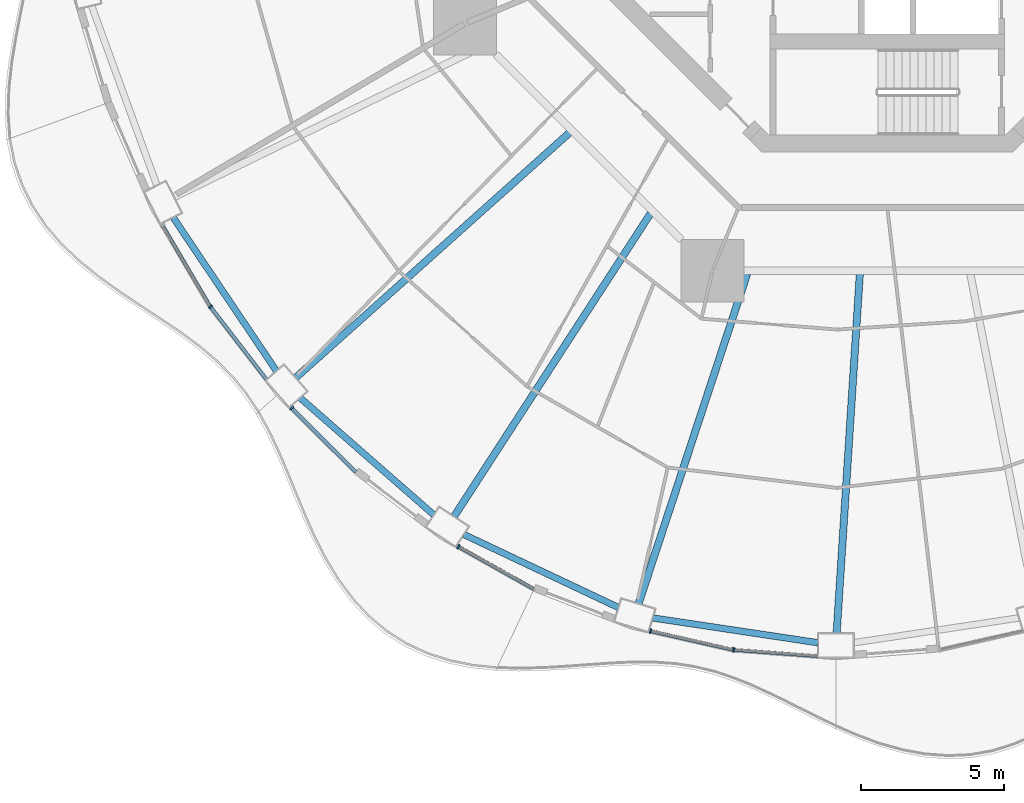
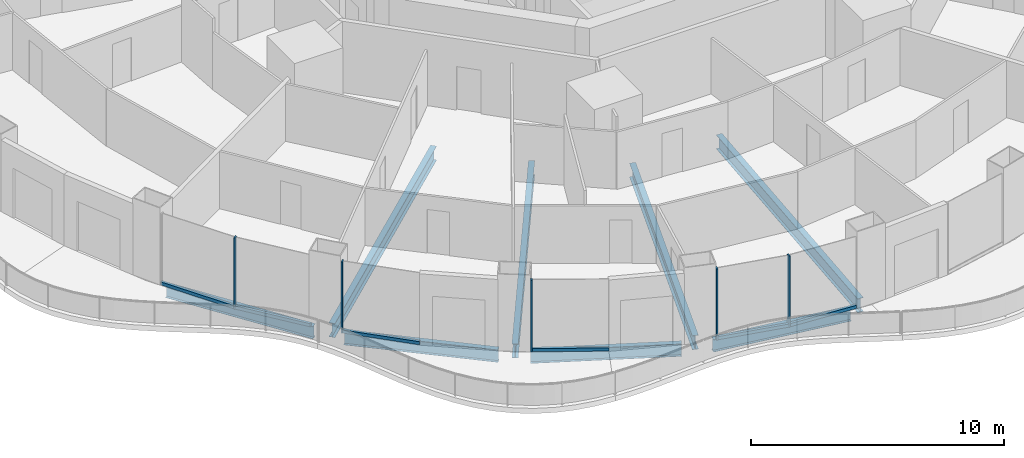
# One storey, part 2 of 22: 11 members, 8 beams, 6 elements without a shape of their own.
"""IFC4 building model written with IfcOpenShell, lengths in metres."""

from ifc_helpers import new_model, si_unit, direction, frame, origin, origin_2d, place, context, subcontext, project, spatial, rectangle, i_section, extrude, material, layer, layer_set, material_profile, profile_set, type_object, element, aggregate, save


model = new_model("IFC4")

# Units and contexts
model_context = context("Model", 3, precision=1e-05, world=origin(), true_north=direction((0.0, 1.0)))
body_context = subcontext(model_context, "Body", "Model", "MODEL_VIEW")
ifc_project = project(units=[si_unit("LENGTHUNIT", "METRE"), si_unit("AREAUNIT", "SQUARE_METRE"), si_unit("VOLUMEUNIT", "CUBIC_METRE"), si_unit("PLANEANGLEUNIT", "RADIAN"), si_unit("MASSUNIT", "GRAM", prefix="KILO")], contexts=[model_context])

# Site, building, storey
site_placement = place(None, origin())
site = spatial("IfcSite", under=ifc_project, at=site_placement, CompositionType="ELEMENT")
building_placement = place(site_placement, origin())
building = spatial("IfcBuilding", under=site, at=building_placement, Name="Nagisa Residences", CompositionType="ELEMENT")
storey_placement = place(building_placement, frame((0.0, 0.0, 84.39990234375)))
storey = spatial("IfcBuildingStorey", under=building, at=storey_placement, Name="L20", CompositionType="ELEMENT", Elevation=84.39990234375)

# Curtain wall, member
ifc_material_1 = material(Name="Concrete-coloured aluminium curtain wall system", Category="concrete")
ifc_layer = layer(ifc_material_1, 0.159912109375)
ifc_layer_set = layer_set([ifc_layer], Name="CW1 CURTAIN WALL")
curtain_wall_type = type_object("IfcCurtainWallType", Name="CW1 CURTAIN WALL", PredefinedType="NOTDEFINED", material=ifc_layer_set)
curtain_wall_1_placement = place(storey_placement, origin())
curtain_wall_1 = element("IfcCurtainWall", 1, at=curtain_wall_1_placement, inside=storey, type_object=curtain_wall_type, Name="cw:CW1:L20:29", PredefinedType="NOTDEFINED")
ifc_material_2 = material(Name="Concrete-coloured aluminium", Category="concrete")
ifc_material_profile_1 = material_profile(ifc_material_2, rectangle(XDim=0.159912109375, YDim=0.06005859375, at=origin_2d()), Name="CW1 MULLION 160x60")
ifc_profile_set_1 = profile_set([ifc_material_profile_1], Name="Concrete-coloured aluminium")
member_type_1 = type_object("IfcMemberType", Name="CW1 MULLION 160x60", PredefinedType="MULLION", material=ifc_profile_set_1)
member_1_placement = place(storey_placement, frame((-23.690185546875, -16.042236328125, 0.0), z_axis=(0.0, 0.0, 1.0), x_axis=(0.792070340816, 0.610429828235, 0.0)))
member_1 = element("IfcMember", 2, at=member_1_placement, type_object=member_type_1, Name="CW1 mullion", PredefinedType="MULLION", context=body_context, shape_type="SweptSolid", body=[
    extrude(rectangle(XDim=0.159912109375, YDim=0.06005859375, at=origin_2d()), origin(), (0.0, 0.0, 1.0), 3.440185546875),
])

curtain_wall_2_placement = place(storey_placement, origin())
curtain_wall_2 = element("IfcCurtainWall", 3, at=curtain_wall_2_placement, inside=storey, type_object=curtain_wall_type, Name="cw:CW1:L20:30", PredefinedType="NOTDEFINED")
member_2_placement = place(storey_placement, frame((-20.845458984375, -19.590576171875, 0.0), z_axis=(0.0, 0.0, 1.0), x_axis=(0.706376885714, 0.707835924016, 0.0)))
member_2 = element("IfcMember", 4, at=member_2_placement, type_object=member_type_1, Name="CW1 mullion", PredefinedType="MULLION", context=body_context, shape_type="SweptSolid", body=[
    extrude(rectangle(XDim=0.159912109375, YDim=0.06005859375, at=origin_2d()), origin(), (0.0, 0.0, 1.0), 3.440185546875),
])

curtain_wall_3_placement = place(storey_placement, origin())
curtain_wall_3 = element("IfcCurtainWall", 5, at=curtain_wall_3_placement, inside=storey, type_object=curtain_wall_type, Name="cw:CW1:L20:32", PredefinedType="NOTDEFINED")
member_3_placement = place(storey_placement, frame((-15.015380859375, -24.43798828125, 0.0), z_axis=(0.0, 0.0, 1.0), x_axis=(0.489376918501, 0.872072377523, 0.0)))
member_3 = element("IfcMember", 6, at=member_3_placement, type_object=member_type_1, Name="CW1 mullion", PredefinedType="MULLION", context=body_context, shape_type="SweptSolid", body=[
    extrude(rectangle(XDim=0.159912109375, YDim=0.06005859375, at=origin_2d()), origin(), (0.0, 0.0, 1.0), 3.440185546875),
])

curtain_wall_4_placement = place(storey_placement, origin())
curtain_wall_4 = element("IfcCurtainWall", 7, at=curtain_wall_4_placement, inside=storey, type_object=curtain_wall_type, Name="cw:CW1:L20:34", PredefinedType="NOTDEFINED")
member_4_placement = place(storey_placement, frame((-8.287109375, -27.3955078125, 0.0), z_axis=(0.0, 0.0, 1.0), x_axis=(0.2207639201, 0.975327274089, 0.0)))
member_4 = element("IfcMember", 8, at=member_4_placement, type_object=member_type_1, Name="CW1 mullion", PredefinedType="MULLION", context=body_context, shape_type="SweptSolid", body=[
    extrude(rectangle(XDim=0.159912109375, YDim=0.06005859375, at=origin_2d()), origin(), (0.0, 0.0, 1.0), 3.440185546875),
])

curtain_wall_5_placement = place(storey_placement, origin())
curtain_wall_5 = element("IfcCurtainWall", 9, at=curtain_wall_5_placement, inside=storey, type_object=curtain_wall_type, Name="cw:CW1:L20:35", PredefinedType="NOTDEFINED")
member_5_placement = place(storey_placement, frame((-5.379150390625, -28.050048828125, 0.0), z_axis=(0.0, 0.0, 1.0), x_axis=(0.074377355493, 0.997230168512, 0.0)))
member_5 = element("IfcMember", 10, at=member_5_placement, type_object=member_type_1, Name="CW1 mullion", PredefinedType="MULLION", context=body_context, shape_type="SweptSolid", body=[
    extrude(rectangle(XDim=0.159912109375, YDim=0.06005859375, at=origin_2d()), origin(), (0.0, 0.0, 1.0), 3.440185546875),
])

curtain_wall_6_placement = place(storey_placement, origin())
curtain_wall_6 = element("IfcCurtainWall", 11, at=curtain_wall_6_placement, inside=storey, type_object=curtain_wall_type, Name="cw:CW1:L20:28", PredefinedType="NOTDEFINED")
ifc_material_3 = material(Name="Concrete-coloured aluminium", Category="concrete")
ifc_material_profile_2 = material_profile(ifc_material_3, rectangle(XDim=0.1201171875, YDim=0.14990234375, at=origin_2d()), Name="CW1 TRANSOM 120x150")
ifc_profile_set_2 = profile_set([ifc_material_profile_2], Name="Concrete-coloured aluminium")
member_type_2 = type_object("IfcMemberType", Name="CW1 TRANSOM 120x150", PredefinedType="USERDEFINED", material=ifc_profile_set_2)
member_6_placement = place(storey_placement, frame((-25.386474609375, -13.159912109375, 0.0751953125), z_axis=(0.506384588027, -0.862307746114, 0.0), x_axis=(0.862307746114, 0.506384588027, 0.0)))
member_6 = element("IfcMember", 12, at=member_6_placement, type_object=member_type_2, Name="CW1 transom", ObjectType="TRANSOM", PredefinedType="USERDEFINED", context=body_context, shape_type="SweptSolid", body=[
    extrude(rectangle(XDim=0.1201171875, YDim=0.14990234375, at=origin_2d()), origin(), (0.0, 0.0, 1.0), 3.32470703125),
])
aggregate(curtain_wall_6, [member_6])

# Member
member_7_placement = place(storey_placement, frame((-23.70849609375, -16.0185546875, 0.0751953125), z_axis=(0.61041202934, -0.792084057684, 0.0), x_axis=(0.792084057684, 0.61041202934, 0.0)))
member_7 = element("IfcMember", 13, at=member_7_placement, type_object=member_type_2, Name="CW1 transom", ObjectType="TRANSOM", PredefinedType="USERDEFINED", context=body_context, shape_type="SweptSolid", body=[
    extrude(rectangle(XDim=0.1201171875, YDim=0.14990234375, at=origin_2d()), origin(), (0.0, 0.0, 1.0), 3.262939453125),
])

aggregate(curtain_wall_1, [member_1, member_7])

member_8_placement = place(storey_placement, frame((-20.86669921875, -19.5693359375, 0.0751953125), z_axis=(0.707869817944, -0.706342920149, 0.0), x_axis=(0.706342920149, 0.707869817944, 0.0)))
member_8 = element("IfcMember", 14, at=member_8_placement, type_object=member_type_2, Name="CW1 transom", ObjectType="TRANSOM", PredefinedType="USERDEFINED", context=body_context, shape_type="SweptSolid", body=[
    extrude(rectangle(XDim=0.1201171875, YDim=0.14990234375, at=origin_2d()), origin(), (0.0, 0.0, 1.0), 3.19775390625),
])

aggregate(curtain_wall_2, [member_2, member_8])

member_9_placement = place(storey_placement, frame((-15.04150390625, -24.42333984375, 0.0751953125), z_axis=(0.872037280335, -0.489439456631, 0.0), x_axis=(0.489439456631, 0.872037280335, 0.0)))
member_9 = element("IfcMember", 15, at=member_9_placement, type_object=member_type_2, Name="CW1 transom", ObjectType="TRANSOM", PredefinedType="USERDEFINED", context=body_context, shape_type="SweptSolid", body=[
    extrude(rectangle(XDim=0.1201171875, YDim=0.14990234375, at=origin_2d()), origin(), (0.0, 0.0, 1.0), 3.07568359375),
])

aggregate(curtain_wall_3, [member_3, member_9])

member_10_placement = place(storey_placement, frame((-8.31640625, -27.388916015625, 0.0751953125), z_axis=(0.975335171471, -0.220729026846, 0.0), x_axis=(0.220729026846, 0.975335171471, 0.0)))
member_10 = element("IfcMember", 16, at=member_10_placement, type_object=member_type_2, Name="CW1 transom", ObjectType="TRANSOM", PredefinedType="USERDEFINED", context=body_context, shape_type="SweptSolid", body=[
    extrude(rectangle(XDim=0.1201171875, YDim=0.14990234375, at=origin_2d()), origin(), (0.0, 0.0, 1.0), 2.992919921875),
])

aggregate(curtain_wall_4, [member_4, member_10])

member_11_placement = place(storey_placement, frame((-5.408935546875, -28.0478515625, 0.0751953125), z_axis=(0.997226174467, -0.074430887117, 0.0), x_axis=(0.074430887117, 0.997226174467, 0.0)))
member_11 = element("IfcMember", 17, at=member_11_placement, type_object=member_type_2, Name="CW1 transom", ObjectType="TRANSOM", PredefinedType="USERDEFINED", context=body_context, shape_type="SweptSolid", body=[
    extrude(rectangle(XDim=0.1201171875, YDim=0.14990234375, at=origin_2d()), origin(), (0.0, 0.0, 1.0), 2.97509765625),
])

aggregate(curtain_wall_5, [member_5, member_11])

# Beams
ifc_material_4 = material(Name="Steel ASTM A572 Gr 50", Category="steel")
ifc_material_profile_3 = material_profile(ifc_material_4, i_section(OverallWidth=0.22802734375, OverallDepth=0.60302734375, WebThickness=0.010498046875, FlangeThickness=0.014892578125, at=origin_2d()), Name="W610x101")
ifc_profile_set_3 = profile_set([ifc_material_profile_3], Name="Steel ASTM A572 Gr 50")
beam_type_1 = type_object("IfcBeamType", Name="Perimeter ring beam W610x101", PredefinedType="BEAM", material=ifc_profile_set_3)
beam_1_placement = place(storey_placement, frame((-24.9970703125, -12.91650390625, -0.5615234375), z_axis=(0.558203607151, -0.829704003222, 0.0), x_axis=(0.829704003222, 0.558203607151, 0.0)))
element("IfcBeam", 18, at=beam_1_placement, inside=storey, type_object=beam_type_1, Name="beam:L20:pb15", PredefinedType="BEAM", context=body_context, shape_type="SweptSolid", body=[
    extrude(i_section(OverallWidth=0.22802734375, OverallDepth=0.60302734375, WebThickness=0.010498046875, FlangeThickness=0.014892578125, at=origin_2d()), origin(), (0.0, 0.0, 1.0), 6.4716796875),
])
beam_2_placement = place(storey_placement, frame((-20.551513671875, -19.231689453125, -0.5615234375), z_axis=(0.752542612886, -0.658543556488, 0.0), x_axis=(0.658543556488, 0.752542612886, 0.0)))
element("IfcBeam", 19, at=beam_2_placement, inside=storey, type_object=beam_type_1, Name="beam:L20:pb16", PredefinedType="BEAM", context=body_context, shape_type="SweptSolid", body=[
    extrude(i_section(OverallWidth=0.22802734375, OverallDepth=0.60302734375, WebThickness=0.010498046875, FlangeThickness=0.014892578125, at=origin_2d()), origin(), (0.0, 0.0, 1.0), 6.212646484375),
])
beam_3_placement = place(storey_placement, frame((-14.822021484375, -24.013916015625, -0.5615234375), z_axis=(0.90418952838, -0.427131474804, 0.0), x_axis=(0.427131474804, 0.90418952838, 0.0)))
element("IfcBeam", 20, at=beam_3_placement, inside=storey, type_object=beam_type_1, Name="beam:L20:pb17", PredefinedType="BEAM", context=body_context, shape_type="SweptSolid", body=[
    extrude(i_section(OverallWidth=0.22802734375, OverallDepth=0.60302734375, WebThickness=0.010498046875, FlangeThickness=0.014892578125, at=origin_2d()), origin(), (0.0, 0.0, 1.0), 5.98046875),
])
beam_4_placement = place(storey_placement, frame((-8.20849609375, -26.93505859375, -0.5615234375), z_axis=(0.988913048607, -0.148495731568, 0.0), x_axis=(0.148495731568, 0.988913048607, 0.0)))
element("IfcBeam", 21, at=beam_4_placement, inside=storey, type_object=beam_type_1, Name="beam:L20:pb18", PredefinedType="BEAM", context=body_context, shape_type="SweptSolid", body=[
    extrude(i_section(OverallWidth=0.22802734375, OverallDepth=0.60302734375, WebThickness=0.010498046875, FlangeThickness=0.014892578125, at=origin_2d()), origin(), (0.0, 0.0, 1.0), 5.843017578125),
])
ifc_material_5 = material(Name="Steel ASTM A572 Gr 50", Category="steel")
ifc_material_profile_4 = material_profile(ifc_material_5, i_section(OverallWidth=0.2529296875, OverallDepth=0.677978515625, WebThickness=0.01171875, FlangeThickness=0.016357421875, at=origin_2d()), Name="W690x125")
ifc_profile_set_4 = profile_set([ifc_material_profile_4], Name="Steel ASTM A572 Gr 50")
beam_type_2 = type_object("IfcBeamType", Name="Radial beam W690x125", PredefinedType="BEAM", material=ifc_profile_set_4)
beam_5_placement = place(storey_placement, frame((-20.709228515625, -18.526611328125, -0.598876953125), z_axis=(0.745284973843, 0.666746059428, 0.0), x_axis=(-0.666746059428, 0.745284973843, 0.0)))
element("IfcBeam", 22, at=beam_5_placement, inside=storey, type_object=beam_type_2, Name="beam:L20:rb16", PredefinedType="BEAM", context=body_context, shape_type="SweptSolid", body=[
    extrude(i_section(OverallWidth=0.2529296875, OverallDepth=0.677978515625, WebThickness=0.01171875, FlangeThickness=0.016357421875, at=origin_2d()), origin(), (0.0, 0.0, 1.0), 12.869384765625),
])
beam_6_placement = place(storey_placement, frame((-15.16357421875, -23.38134765625, -0.598876953125), z_axis=(0.544121648903, 0.839006335611, 0.0), x_axis=(-0.839006335611, 0.544121648903, 0.0)))
element("IfcBeam", 23, at=beam_6_placement, inside=storey, type_object=beam_type_2, Name="beam:L20:rb17", PredefinedType="BEAM", context=body_context, shape_type="SweptSolid", body=[
    extrude(i_section(OverallWidth=0.2529296875, OverallDepth=0.677978515625, WebThickness=0.01171875, FlangeThickness=0.016357421875, at=origin_2d()), origin(), (0.0, 0.0, 1.0), 12.63818359375),
])
beam_7_placement = place(storey_placement, frame((-8.7041015625, -26.431884765625, -0.598876953125), z_axis=(0.312788454633, 0.94982281645, 0.0), x_axis=(-0.94982281645, 0.312788454633, 0.0)))
element("IfcBeam", 24, at=beam_7_placement, inside=storey, type_object=beam_type_2, Name="beam:L20:rb18", PredefinedType="BEAM", context=body_context, shape_type="SweptSolid", body=[
    extrude(i_section(OverallWidth=0.2529296875, OverallDepth=0.677978515625, WebThickness=0.01171875, FlangeThickness=0.016357421875, at=origin_2d()), origin(), (0.0, 0.0, 1.0), 12.145751953125),
])
beam_8_placement = place(storey_placement, frame((-1.772216796875, -27.46728515625, -0.598876953125), z_axis=(0.064392860553, 0.997924626167, 0.0), x_axis=(-0.997924626167, 0.064392860553, 0.0)))
element("IfcBeam", 25, at=beam_8_placement, inside=storey, type_object=beam_type_2, Name="beam:L20:rb19", PredefinedType="BEAM", context=body_context, shape_type="SweptSolid", body=[
    extrude(i_section(OverallWidth=0.2529296875, OverallDepth=0.677978515625, WebThickness=0.01171875, FlangeThickness=0.016357421875, at=origin_2d()), origin(), (0.0, 0.0, 1.0), 12.598876953125),
])

save(model, "model.ifc")
